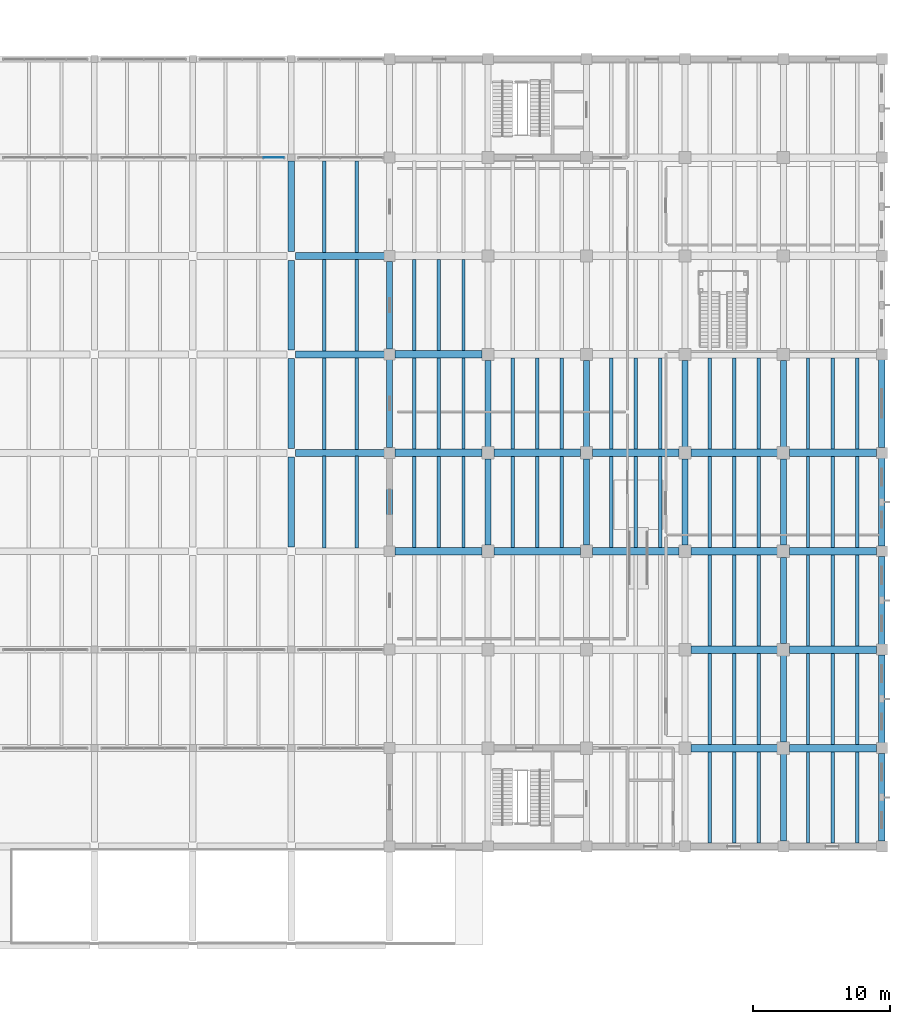
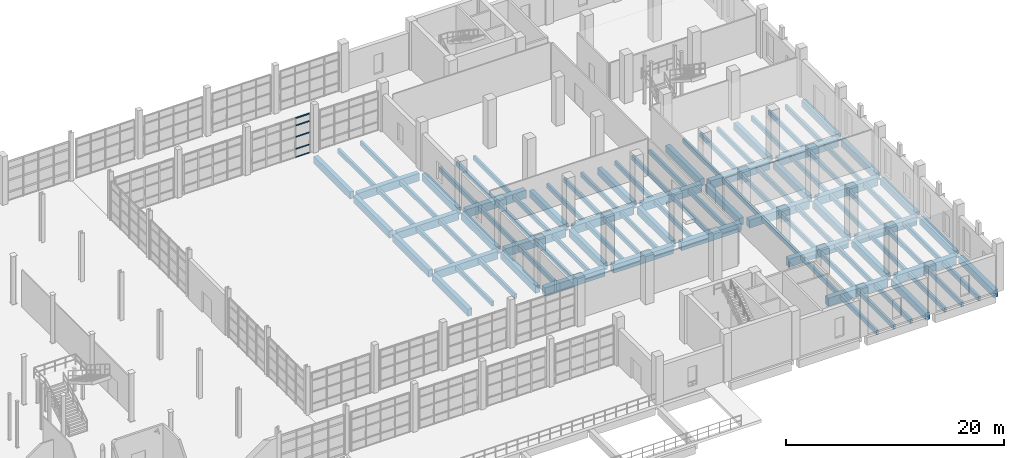
# One storey, part 44 of 79: 100 beams, 5 members, 1 element without a shape of its own.
"""IFC4 building model written with IfcOpenShell, lengths in metres."""

from ifc_helpers import new_model, si_unit, direction, frame, origin, origin_2d, place, context, subcontext, project, spatial, rectangle, extrude, material, material_profile, profile_set, type_object, element, aggregate, save


model = new_model("IFC4")

# Units and contexts
model_context = context("Model", 3, precision=1e-05, world=origin(), true_north=direction((0.0, 1.0)))
body_context = subcontext(model_context, "Body", "Model", "MODEL_VIEW")
ifc_project = project(units=[si_unit("LENGTHUNIT", "METRE"), si_unit("AREAUNIT", "SQUARE_METRE"), si_unit("VOLUMEUNIT", "CUBIC_METRE"), si_unit("PLANEANGLEUNIT", "RADIAN"), si_unit("MASSUNIT", "GRAM", prefix="KILO")], contexts=[model_context])

# Site, building, storey
site_placement = place(None, origin())
site = spatial("IfcSite", under=ifc_project, at=site_placement, CompositionType="ELEMENT")
building_placement = place(site_placement, origin())
building = spatial("IfcBuilding", under=site, at=building_placement, Name="Qiaolan Assembly House", CompositionType="ELEMENT")
storey_placement = place(building_placement, origin())
storey = spatial("IfcBuildingStorey", under=building, at=storey_placement, Name="L00", CompositionType="ELEMENT", Elevation=0.0)

# Beams
ifc_material_1 = material(Name="Concrete C40/50", Category="concrete")
ifc_material_profile_1 = material_profile(ifc_material_1, rectangle(XDim=0.449951171875, YDim=0.800048828125, at=origin_2d()), Name="RCB 450x800")
ifc_profile_set_1 = profile_set([ifc_material_profile_1], Name="Concrete C40/50")
beam_type_1 = type_object("IfcBeamType", Name="BM-RC-450x800", PredefinedType="BEAM", material=ifc_profile_set_1)
beam_1_placement = place(storey_placement, frame((129.60009765625, 50.715087890625, -0.739990234375), z_axis=(0.0, 1.0, 0.0), x_axis=(-1.0, 0.0, 0.0)))
element("IfcBeam", 1, at=beam_1_placement, inside=storey, type_object=beam_type_1, Name="GB-03 beam BMY-CLCRT-L00-03-01", PredefinedType="BEAM", context=body_context, shape_type="SweptSolid", body=[
    extrude(rectangle(XDim=0.449951171875, YDim=0.800048828125, at=origin_2d()), origin(), (0.0, 0.0, 1.0), 6.56982421875),
])
for number, where, z_axis, x_axis, name in (
    (2, (129.60009765625, 57.9150390625, -0.739990234375), (0.0, 1.0, 0.0), (-1.0, 0.0, 0.0), "GB-03 beam BMY-CLCRT-L00-03-02"),
    (3, (129.60009765625, 65.114990234375, -0.739990234375), (0.0, 1.0, 0.0), (-1.0, 0.0, 0.0), "GB-03 beam BMY-CLCRT-L00-03-03"),
):
    element("IfcBeam", number, at=place(storey_placement, frame(where, z_axis=z_axis, x_axis=x_axis)), inside=storey, type_object=beam_type_1, Name=name, PredefinedType="BEAM", context=body_context, shape_type="SweptSolid", body=[
        extrude(rectangle(XDim=0.449951171875, YDim=0.800048828125, at=origin_2d()), origin(), (0.0, 0.0, 1.0), 6.570068359375),
    ])
beam_2_placement = place(storey_placement, frame((129.60009765625, 72.31494140625, -0.739990234375), z_axis=(0.0, 1.0, 0.0), x_axis=(-1.0, 0.0, 0.0)))
element("IfcBeam", 4, at=beam_2_placement, inside=storey, type_object=beam_type_1, Name="GB-03 beam BMY-CLCRT-L00-03-04", PredefinedType="BEAM", context=body_context, shape_type="SweptSolid", body=[
    extrude(rectangle(XDim=0.449951171875, YDim=0.800048828125, at=origin_2d()), origin(), (0.0, 0.0, 1.0), 6.635009765625),
])
for number, where, z_axis, x_axis, name in (
    (5, (136.800048828125, 50.7900390625, -0.739990234375), (0.0, 1.0, 0.0), (-1.0, 0.0, 0.0), "GB-03 beam BMY-CLCRT-L00-04-01"),
    (6, (136.800048828125, 57.989990234375, -0.739990234375), (0.0, 1.0, 0.0), (-1.0, 0.0, 0.0), "GB-03 beam BMY-CLCRT-L00-04-02"),
):
    element("IfcBeam", number, at=place(storey_placement, frame(where, z_axis=z_axis, x_axis=x_axis)), inside=storey, type_object=beam_type_1, Name=name, PredefinedType="BEAM", context=body_context, shape_type="SweptSolid", body=[
        extrude(rectangle(XDim=0.449951171875, YDim=0.800048828125, at=origin_2d()), origin(), (0.0, 0.0, 1.0), 6.419921875),
    ])
beam_3_placement = place(storey_placement, frame((136.800048828125, 65.18994140625, -0.739990234375), z_axis=(0.0, 1.0, 0.0), x_axis=(-1.0, 0.0, 0.0)))
element("IfcBeam", 7, at=beam_3_placement, inside=storey, type_object=beam_type_1, Name="GB-03 beam BMY-CLCRT-L00-04-03", PredefinedType="BEAM", context=body_context, shape_type="SweptSolid", body=[
    extrude(rectangle(XDim=0.449951171875, YDim=0.800048828125, at=origin_2d()), origin(), (0.0, 0.0, 1.0), 6.420166015625),
])
beam_4_placement = place(storey_placement, frame((144.0, 50.840087890625, -0.739990234375), z_axis=(0.0, 1.0, 0.0), x_axis=(-1.0, 0.0, 0.0)))
element("IfcBeam", 8, at=beam_4_placement, inside=storey, type_object=beam_type_1, Name="GB-03 beam BMY-LB-L00-01-03", PredefinedType="BEAM", context=body_context, shape_type="SweptSolid", body=[
    extrude(rectangle(XDim=0.449951171875, YDim=0.800048828125, at=origin_2d()), origin(), (0.0, 0.0, 1.0), 6.31982421875),
])
beam_5_placement = place(storey_placement, frame((144.0, 58.0400390625, -0.739990234375), z_axis=(0.0, 1.0, 0.0), x_axis=(-1.0, 0.0, 0.0)))
element("IfcBeam", 9, at=beam_5_placement, inside=storey, type_object=beam_type_1, Name="GB-03 beam BMY-LB-L00-01-04", PredefinedType="BEAM", context=body_context, shape_type="SweptSolid", body=[
    extrude(rectangle(XDim=0.449951171875, YDim=0.800048828125, at=origin_2d()), origin(), (0.0, 0.0, 1.0), 6.320068359375),
])
beam_6_placement = place(storey_placement, frame((151.199951171875, 50.840087890625, -0.739990234375), z_axis=(0.0, 1.0, 0.0), x_axis=(-1.0, 0.0, 0.0)))
element("IfcBeam", 10, at=beam_6_placement, inside=storey, type_object=beam_type_1, Name="GB-03 beam BMY-LB-L00-02-03", PredefinedType="BEAM", context=body_context, shape_type="SweptSolid", body=[
    extrude(rectangle(XDim=0.449951171875, YDim=0.800048828125, at=origin_2d()), origin(), (0.0, 0.0, 1.0), 6.31982421875),
])
beam_7_placement = place(storey_placement, frame((151.199951171875, 58.0400390625, -0.739990234375), z_axis=(0.0, 1.0, 0.0), x_axis=(-1.0, 0.0, 0.0)))
element("IfcBeam", 11, at=beam_7_placement, inside=storey, type_object=beam_type_1, Name="GB-03 beam BMY-LB-L00-02-04", PredefinedType="BEAM", context=body_context, shape_type="SweptSolid", body=[
    extrude(rectangle(XDim=0.449951171875, YDim=0.800048828125, at=origin_2d()), origin(), (0.0, 0.0, 1.0), 6.320068359375),
])
beam_8_placement = place(storey_placement, frame((158.39990234375, 50.840087890625, -0.739990234375), z_axis=(0.0, 1.0, 0.0), x_axis=(-1.0, 0.0, 0.0)))
element("IfcBeam", 12, at=beam_8_placement, inside=storey, type_object=beam_type_1, Name="GB-03 beam BMY-LB-L00-03-03", PredefinedType="BEAM", context=body_context, shape_type="SweptSolid", body=[
    extrude(rectangle(XDim=0.449951171875, YDim=0.800048828125, at=origin_2d()), origin(), (0.0, 0.0, 1.0), 6.31982421875),
])
beam_9_placement = place(storey_placement, frame((158.39990234375, 58.0400390625, -0.739990234375), z_axis=(0.0, 1.0, 0.0), x_axis=(-1.0, 0.0, 0.0)))
element("IfcBeam", 13, at=beam_9_placement, inside=storey, type_object=beam_type_1, Name="GB-03 beam BMY-LB-L00-03-04", PredefinedType="BEAM", context=body_context, shape_type="SweptSolid", body=[
    extrude(rectangle(XDim=0.449951171875, YDim=0.800048828125, at=origin_2d()), origin(), (0.0, 0.0, 1.0), 6.320068359375),
])
beam_10_placement = place(storey_placement, frame((165.60009765625, 29.18994140625, -0.739990234375), z_axis=(0.0, 1.0, 0.0), x_axis=(-1.0, 0.0, 0.0)))
element("IfcBeam", 14, at=beam_10_placement, inside=storey, type_object=beam_type_1, Name="GB-03 beam BMY-LB-L00-04-00", PredefinedType="BEAM", context=body_context, shape_type="SweptSolid", body=[
    extrude(rectangle(XDim=0.449951171875, YDim=0.800048828125, at=origin_2d()), origin(), (0.0, 0.0, 1.0), 6.3701171875),
])
for number, where, z_axis, x_axis, name in (
    (15, (165.60009765625, 36.43994140625, -0.739990234375), (0.0, 1.0, 0.0), (-1.0, 0.0, 0.0), "GB-03 beam BMY-LB-L00-04-01"),
    (16, (165.60009765625, 43.639892578125, -0.739990234375), (0.0, 1.0, 0.0), (-1.0, 0.0, 0.0), "GB-03 beam BMY-LB-L00-04-02"),
):
    element("IfcBeam", number, at=place(storey_placement, frame(where, z_axis=z_axis, x_axis=x_axis)), inside=storey, type_object=beam_type_1, Name=name, PredefinedType="BEAM", context=body_context, shape_type="SweptSolid", body=[
        extrude(rectangle(XDim=0.449951171875, YDim=0.800048828125, at=origin_2d()), origin(), (0.0, 0.0, 1.0), 6.320068359375),
    ])
beam_11_placement = place(storey_placement, frame((165.60009765625, 50.840087890625, -0.739990234375), z_axis=(0.0, 1.0, 0.0), x_axis=(-1.0, 0.0, 0.0)))
element("IfcBeam", 17, at=beam_11_placement, inside=storey, type_object=beam_type_1, Name="GB-03 beam BMY-LB-L00-04-03", PredefinedType="BEAM", context=body_context, shape_type="SweptSolid", body=[
    extrude(rectangle(XDim=0.449951171875, YDim=0.800048828125, at=origin_2d()), origin(), (0.0, 0.0, 1.0), 6.31982421875),
])
beam_12_placement = place(storey_placement, frame((165.60009765625, 58.0400390625, -0.739990234375), z_axis=(0.0, 1.0, 0.0), x_axis=(-1.0, 0.0, 0.0)))
element("IfcBeam", 18, at=beam_12_placement, inside=storey, type_object=beam_type_1, Name="GB-03 beam BMY-LB-L00-04-04", PredefinedType="BEAM", context=body_context, shape_type="SweptSolid", body=[
    extrude(rectangle(XDim=0.449951171875, YDim=0.800048828125, at=origin_2d()), origin(), (0.0, 0.0, 1.0), 6.320068359375),
])
for number, where, z_axis, x_axis, name in (
    (19, (172.800048828125, 29.18994140625, -0.739990234375), (0.0, 1.0, 0.0), (-1.0, 0.0, 0.0), "GB-03 beam BMY-LB-L00-05-00"),
    (20, (172.800048828125, 36.389892578125, -0.739990234375), (0.0, 1.0, 0.0), (-1.0, 0.0, 0.0), "GB-03 beam BMY-LB-L00-05-01"),
):
    element("IfcBeam", number, at=place(storey_placement, frame(where, z_axis=z_axis, x_axis=x_axis)), inside=storey, type_object=beam_type_1, Name=name, PredefinedType="BEAM", context=body_context, shape_type="SweptSolid", body=[
        extrude(rectangle(XDim=0.449951171875, YDim=0.800048828125, at=origin_2d()), origin(), (0.0, 0.0, 1.0), 6.420166015625),
    ])
for number, where, z_axis, x_axis, name in (
    (21, (172.800048828125, 43.590087890625, -0.739990234375), (0.0, 1.0, 0.0), (-1.0, 0.0, 0.0), "GB-03 beam BMY-LB-L00-05-02"),
    (22, (172.800048828125, 50.7900390625, -0.739990234375), (0.0, 1.0, 0.0), (-1.0, 0.0, 0.0), "GB-03 beam BMY-LB-L00-05-03"),
    (23, (172.800048828125, 57.989990234375, -0.739990234375), (0.0, 1.0, 0.0), (-1.0, 0.0, 0.0), "GB-03 beam BMY-LB-L00-05-04"),
):
    element("IfcBeam", number, at=place(storey_placement, frame(where, z_axis=z_axis, x_axis=x_axis)), inside=storey, type_object=beam_type_1, Name=name, PredefinedType="BEAM", context=body_context, shape_type="SweptSolid", body=[
        extrude(rectangle(XDim=0.449951171875, YDim=0.800048828125, at=origin_2d()), origin(), (0.0, 0.0, 1.0), 6.419921875),
    ])
ifc_material_2 = material(Name="Concrete C45/55", Category="concrete")
ifc_material_profile_2 = material_profile(ifc_material_2, rectangle(XDim=0.5, YDim=0.85009765625, at=origin_2d()), Name="RCB 500x850")
ifc_profile_set_2 = profile_set([ifc_material_profile_2], Name="Concrete C45/55")
beam_type_2 = type_object("IfcBeamType", Name="BM-RC-500x850", PredefinedType="BEAM", material=ifc_profile_set_2)
for number, where, z_axis, x_axis, name in (
    (24, (129.9150390625, 57.60009765625, -0.764892578125), (1.0, 0.0, 0.0), (0.0, 1.0, 0.0), "GB-02 beam BMX-CLCRT-L00-03-02"),
    (25, (129.9150390625, 64.800048828125, -0.764892578125), (1.0, 0.0, 0.0), (0.0, 1.0, 0.0), "GB-02 beam BMX-CLCRT-L00-03-03"),
    (26, (129.9150390625, 72.0, -0.764892578125), (1.0, 0.0, 0.0), (0.0, 1.0, 0.0), "GB-02 beam BMX-CLCRT-L00-03-04"),
):
    element("IfcBeam", number, at=place(storey_placement, frame(where, z_axis=z_axis, x_axis=x_axis)), inside=storey, type_object=beam_type_2, Name=name, PredefinedType="BEAM", context=body_context, shape_type="SweptSolid", body=[
        extrude(rectangle(XDim=0.5, YDim=0.85009765625, at=origin_2d()), origin(), (0.0, 0.0, 1.0), 6.494873046875),
    ])
ifc_material_profile_3 = material_profile(ifc_material_2, rectangle(XDim=0.550048828125, YDim=0.89990234375, at=origin_2d()), Name="RCB 550x900")
ifc_profile_set_3 = profile_set([ifc_material_profile_3], Name="Concrete C45/55")
beam_type_3 = type_object("IfcBeamType", Name="BM-RC-550x900", PredefinedType="BEAM", material=ifc_profile_set_3)
beam_13_placement = place(storey_placement, frame((158.840087890625, 36.0, -0.7900390625), z_axis=(1.0, 0.0, 0.0), x_axis=(0.0, 1.0, 0.0)))
element("IfcBeam", 27, at=beam_13_placement, inside=storey, type_object=beam_type_3, Name="GB-01 beam BMX-LB-L00-03-01", PredefinedType="BEAM", context=body_context, shape_type="SweptSolid", body=[
    extrude(rectangle(XDim=0.550048828125, YDim=0.89990234375, at=origin_2d()), origin(), (0.0, 0.0, 1.0), 6.31982421875),
])
beam_14_placement = place(storey_placement, frame((166.0400390625, 36.0, -0.7900390625), z_axis=(1.0, 0.0, 0.0), x_axis=(0.0, 1.0, 0.0)))
element("IfcBeam", 28, at=beam_14_placement, inside=storey, type_object=beam_type_3, Name="GB-01 beam BMX-LB-L00-04-01", PredefinedType="BEAM", context=body_context, shape_type="SweptSolid", body=[
    extrude(rectangle(XDim=0.550048828125, YDim=0.89990234375, at=origin_2d()), origin(), (0.0, 0.0, 1.0), 6.369873046875),
])
beam_15_placement = place(storey_placement, frame((158.840087890625, 43.199951171875, -0.7900390625), z_axis=(1.0, 0.0, 0.0), x_axis=(0.0, 1.0, 0.0)))
element("IfcBeam", 29, at=beam_15_placement, inside=storey, type_object=beam_type_3, Name="GB-01 beam BMX-LB-L00-03-02", PredefinedType="BEAM", context=body_context, shape_type="SweptSolid", body=[
    extrude(rectangle(XDim=0.550048828125, YDim=0.89990234375, at=origin_2d()), origin(), (0.0, 0.0, 1.0), 6.31982421875),
])
beam_16_placement = place(storey_placement, frame((166.0400390625, 43.199951171875, -0.7900390625), z_axis=(1.0, 0.0, 0.0), x_axis=(0.0, 1.0, 0.0)))
element("IfcBeam", 30, at=beam_16_placement, inside=storey, type_object=beam_type_3, Name="GB-01 beam BMX-LB-L00-04-02", PredefinedType="BEAM", context=body_context, shape_type="SweptSolid", body=[
    extrude(rectangle(XDim=0.550048828125, YDim=0.89990234375, at=origin_2d()), origin(), (0.0, 0.0, 1.0), 6.369873046875),
])
beam_17_placement = place(storey_placement, frame((137.18994140625, 50.39990234375, -0.7900390625), z_axis=(1.0, 0.0, 0.0), x_axis=(0.0, 1.0, 0.0)))
element("IfcBeam", 31, at=beam_17_placement, inside=storey, type_object=beam_type_3, Name="GB-01 beam BMX-LB-L00-00-03", PredefinedType="BEAM", context=body_context, shape_type="SweptSolid", body=[
    extrude(rectangle(XDim=0.550048828125, YDim=0.89990234375, at=origin_2d()), origin(), (0.0, 0.0, 1.0), 6.3701171875),
])
for number, where, z_axis, x_axis, name in (
    (32, (144.43994140625, 50.39990234375, -0.7900390625), (1.0, 0.0, 0.0), (0.0, 1.0, 0.0), "GB-01 beam BMX-LB-L00-01-03"),
    (33, (151.639892578125, 50.39990234375, -0.7900390625), (1.0, 0.0, 0.0), (0.0, 1.0, 0.0), "GB-01 beam BMX-LB-L00-02-03"),
):
    element("IfcBeam", number, at=place(storey_placement, frame(where, z_axis=z_axis, x_axis=x_axis)), inside=storey, type_object=beam_type_3, Name=name, PredefinedType="BEAM", context=body_context, shape_type="SweptSolid", body=[
        extrude(rectangle(XDim=0.550048828125, YDim=0.89990234375, at=origin_2d()), origin(), (0.0, 0.0, 1.0), 6.320068359375),
    ])
beam_18_placement = place(storey_placement, frame((158.840087890625, 50.39990234375, -0.7900390625), z_axis=(1.0, 0.0, 0.0), x_axis=(0.0, 1.0, 0.0)))
element("IfcBeam", 34, at=beam_18_placement, inside=storey, type_object=beam_type_3, Name="GB-01 beam BMX-LB-L00-03-03", PredefinedType="BEAM", context=body_context, shape_type="SweptSolid", body=[
    extrude(rectangle(XDim=0.550048828125, YDim=0.89990234375, at=origin_2d()), origin(), (0.0, 0.0, 1.0), 6.31982421875),
])
beam_19_placement = place(storey_placement, frame((166.0400390625, 50.39990234375, -0.7900390625), z_axis=(1.0, 0.0, 0.0), x_axis=(0.0, 1.0, 0.0)))
element("IfcBeam", 35, at=beam_19_placement, inside=storey, type_object=beam_type_3, Name="GB-01 beam BMX-LB-L00-04-03", PredefinedType="BEAM", context=body_context, shape_type="SweptSolid", body=[
    extrude(rectangle(XDim=0.550048828125, YDim=0.89990234375, at=origin_2d()), origin(), (0.0, 0.0, 1.0), 6.369873046875),
])
beam_20_placement = place(storey_placement, frame((137.18994140625, 57.60009765625, -0.7900390625), z_axis=(1.0, 0.0, 0.0), x_axis=(0.0, 1.0, 0.0)))
element("IfcBeam", 36, at=beam_20_placement, inside=storey, type_object=beam_type_3, Name="GB-01 beam BMX-LB-L00-00-04", PredefinedType="BEAM", context=body_context, shape_type="SweptSolid", body=[
    extrude(rectangle(XDim=0.550048828125, YDim=0.89990234375, at=origin_2d()), origin(), (0.0, 0.0, 1.0), 6.3701171875),
])
for number, where, z_axis, x_axis, name in (
    (37, (144.43994140625, 57.60009765625, -0.7900390625), (1.0, 0.0, 0.0), (0.0, 1.0, 0.0), "GB-01 beam BMX-LB-L00-01-04"),
    (38, (151.639892578125, 57.60009765625, -0.7900390625), (1.0, 0.0, 0.0), (0.0, 1.0, 0.0), "GB-01 beam BMX-LB-L00-02-04"),
):
    element("IfcBeam", number, at=place(storey_placement, frame(where, z_axis=z_axis, x_axis=x_axis)), inside=storey, type_object=beam_type_3, Name=name, PredefinedType="BEAM", context=body_context, shape_type="SweptSolid", body=[
        extrude(rectangle(XDim=0.550048828125, YDim=0.89990234375, at=origin_2d()), origin(), (0.0, 0.0, 1.0), 6.320068359375),
    ])
beam_21_placement = place(storey_placement, frame((158.840087890625, 57.60009765625, -0.7900390625), z_axis=(1.0, 0.0, 0.0), x_axis=(0.0, 1.0, 0.0)))
element("IfcBeam", 39, at=beam_21_placement, inside=storey, type_object=beam_type_3, Name="GB-01 beam BMX-LB-L00-03-04", PredefinedType="BEAM", context=body_context, shape_type="SweptSolid", body=[
    extrude(rectangle(XDim=0.550048828125, YDim=0.89990234375, at=origin_2d()), origin(), (0.0, 0.0, 1.0), 6.31982421875),
])
beam_22_placement = place(storey_placement, frame((166.0400390625, 57.60009765625, -0.7900390625), z_axis=(1.0, 0.0, 0.0), x_axis=(0.0, 1.0, 0.0)))
element("IfcBeam", 40, at=beam_22_placement, inside=storey, type_object=beam_type_3, Name="GB-01 beam BMX-LB-L00-04-04", PredefinedType="BEAM", context=body_context, shape_type="SweptSolid", body=[
    extrude(rectangle(XDim=0.550048828125, YDim=0.89990234375, at=origin_2d()), origin(), (0.0, 0.0, 1.0), 6.369873046875),
])
beam_23_placement = place(storey_placement, frame((137.18994140625, 64.800048828125, -0.7900390625), z_axis=(1.0, 0.0, 0.0), x_axis=(0.0, 1.0, 0.0)))
element("IfcBeam", 41, at=beam_23_placement, inside=storey, type_object=beam_type_3, Name="GB-01 beam BMX-LB-L00-00-05", PredefinedType="BEAM", context=body_context, shape_type="SweptSolid", body=[
    extrude(rectangle(XDim=0.550048828125, YDim=0.89990234375, at=origin_2d()), origin(), (0.0, 0.0, 1.0), 6.3701171875),
])

# Curtain wall, members
ifc_material_3 = material(Name="Anodised bronze aluminium", Category="aluminium")
curtain_wall_type = type_object("IfcCurtainWallType", Name="CW-CLOISTER-420", PredefinedType="NOTDEFINED", material=ifc_material_3)
curtain_wall_placement = place(storey_placement, origin())
curtain_wall = element("IfcCurtainWall", 42, at=curtain_wall_placement, inside=storey, type_object=curtain_wall_type, Name="CW-05 North Cloister court arcade L00-3", PredefinedType="NOTDEFINED")
ifc_material_profile_4 = material_profile(ifc_material_3, rectangle(XDim=0.06201171875, YDim=0.125, at=origin_2d()), Name="TRN 62x125")
ifc_profile_set_4 = profile_set([ifc_material_profile_4], Name="Anodised bronze aluminium")
member_type = type_object("IfcMemberType", Name="CW-CLOISTER-420-TRN", PredefinedType="USERDEFINED", material=ifc_profile_set_4)
member_1_placement = place(storey_placement, frame((127.574951171875, 79.199951171875, 0.030029296875), z_axis=(1.0, 0.0, 0.0), x_axis=(0.0, 1.0, 0.0)))
member_1 = element("IfcMember", 43, at=member_1_placement, type_object=member_type, Name="TR-06 transom CW-CLN-CRT-L00-2-4-1", ObjectType="TRANSOM", PredefinedType="USERDEFINED", context=body_context, shape_type="SweptSolid", body=[
    extrude(rectangle(XDim=0.06201171875, YDim=0.125, at=origin_2d()), origin(), (0.0, 0.0, 1.0), 1.469970703125),
])
member_2_placement = place(storey_placement, frame((127.574951171875, 79.199951171875, 0.949951171875), z_axis=(1.0, 0.0, 0.0), x_axis=(0.0, 1.0, 0.0)))
member_2 = element("IfcMember", 44, at=member_2_placement, type_object=member_type, Name="TR-06 transom CW-CLN-CRT-L00-2-4-2", ObjectType="TRANSOM", PredefinedType="USERDEFINED", context=body_context, shape_type="SweptSolid", body=[
    extrude(rectangle(XDim=0.06201171875, YDim=0.125, at=origin_2d()), origin(), (0.0, 0.0, 1.0), 1.469970703125),
])
member_3_placement = place(storey_placement, frame((127.574951171875, 79.199951171875, 2.29833984375), z_axis=(1.0, 0.0, 0.0), x_axis=(0.0, 1.0, 0.0)))
member_3 = element("IfcMember", 45, at=member_3_placement, type_object=member_type, Name="TR-06 transom CW-CLN-CRT-L00-2-4-3", ObjectType="TRANSOM", PredefinedType="USERDEFINED", context=body_context, shape_type="SweptSolid", body=[
    extrude(rectangle(XDim=0.06201171875, YDim=0.125, at=origin_2d()), origin(), (0.0, 0.0, 1.0), 1.469970703125),
])
member_4_placement = place(storey_placement, frame((127.574951171875, 79.199951171875, 3.570068359375), z_axis=(1.0, 0.0, 0.0), x_axis=(0.0, 1.0, 0.0)))
member_4 = element("IfcMember", 46, at=member_4_placement, type_object=member_type, Name="TR-06 transom CW-CLN-CRT-L00-2-4-4", ObjectType="TRANSOM", PredefinedType="USERDEFINED", context=body_context, shape_type="SweptSolid", body=[
    extrude(rectangle(XDim=0.06201171875, YDim=0.125, at=origin_2d()), origin(), (0.0, 0.0, 1.0), 1.469970703125),
])
member_5_placement = place(storey_placement, frame((127.574951171875, 79.199951171875, 4.389892578125), z_axis=(1.0, 0.0, 0.0), x_axis=(0.0, 1.0, 0.0)))
member_5 = element("IfcMember", 47, at=member_5_placement, type_object=member_type, Name="TR-06 transom CW-CLN-CRT-L00-2-4-5", ObjectType="TRANSOM", PredefinedType="USERDEFINED", context=body_context, shape_type="SweptSolid", body=[
    extrude(rectangle(XDim=0.06201171875, YDim=0.125, at=origin_2d()), origin(), (0.0, 0.0, 1.0), 1.469970703125),
])
aggregate(curtain_wall, [member_1, member_2, member_3, member_4, member_5])

# Beams
ifc_material_profile_5 = material_profile(ifc_material_1, rectangle(XDim=0.25, YDim=0.5, at=origin_2d()), Name="RCB 250x500")
ifc_profile_set_5 = profile_set([ifc_material_profile_5], Name="Concrete C40/50")
beam_type_4 = type_object("IfcBeamType", Name="JST-RC-250x500", PredefinedType="JOIST", material=ifc_profile_set_5)
for number, where, z_axis, x_axis, name in (
    (48, (132.0, 50.64404296875, -0.590087890625), (0.0, 1.0, 0.0), (-1.0, 0.0, 0.0), "RJ-01 beam JST-CLCRT-L00-03-01-1"),
    (49, (134.39990234375, 50.64404296875, -0.590087890625), (0.0, 1.0, 0.0), (-1.0, 0.0, 0.0), "RJ-01 beam JST-CLCRT-L00-03-01-2"),
    (50, (132.0, 57.843994140625, -0.590087890625), (0.0, 1.0, 0.0), (-1.0, 0.0, 0.0), "RJ-01 beam JST-CLCRT-L00-03-02-1"),
    (51, (134.39990234375, 57.843994140625, -0.590087890625), (0.0, 1.0, 0.0), (-1.0, 0.0, 0.0), "RJ-01 beam JST-CLCRT-L00-03-02-2"),
):
    element("IfcBeam", number, at=place(storey_placement, frame(where, z_axis=z_axis, x_axis=x_axis)), inside=storey, type_object=beam_type_4, Name=name, PredefinedType="JOIST", context=body_context, shape_type="SweptSolid", body=[
        extrude(rectangle(XDim=0.25, YDim=0.5, at=origin_2d()), origin(), (0.0, 0.0, 1.0), 6.7119140625),
    ])
for number, where, z_axis, x_axis, name in (
    (52, (132.0, 65.0439453125, -0.590087890625), (0.0, 1.0, 0.0), (-1.0, 0.0, 0.0), "RJ-01 beam JST-CLCRT-L00-03-03-1"),
    (53, (134.39990234375, 65.0439453125, -0.590087890625), (0.0, 1.0, 0.0), (-1.0, 0.0, 0.0), "RJ-01 beam JST-CLCRT-L00-03-03-2"),
    (54, (132.0, 72.243896484375, -0.590087890625), (0.0, 1.0, 0.0), (-1.0, 0.0, 0.0), "RJ-01 beam JST-CLCRT-L00-03-04-1"),
    (55, (134.39990234375, 72.243896484375, -0.590087890625), (0.0, 1.0, 0.0), (-1.0, 0.0, 0.0), "RJ-01 beam JST-CLCRT-L00-03-04-2"),
):
    element("IfcBeam", number, at=place(storey_placement, frame(where, z_axis=z_axis, x_axis=x_axis)), inside=storey, type_object=beam_type_4, Name=name, PredefinedType="JOIST", context=body_context, shape_type="SweptSolid", body=[
        extrude(rectangle(XDim=0.25, YDim=0.5, at=origin_2d()), origin(), (0.0, 0.0, 1.0), 6.712158203125),
    ])
for number, where, z_axis, x_axis, name in (
    (56, (138.60009765625, 50.6689453125, -0.590087890625), (0.0, 1.0, 0.0), (-1.0, 0.0, 0.0), "RJ-01 beam JST-LB-L00-00-03-1"),
    (57, (140.39990234375, 50.6689453125, -0.590087890625), (0.0, 1.0, 0.0), (-1.0, 0.0, 0.0), "RJ-01 beam JST-LB-L00-00-03-2"),
    (58, (142.199951171875, 50.6689453125, -0.590087890625), (0.0, 1.0, 0.0), (-1.0, 0.0, 0.0), "RJ-01 beam JST-LB-L00-00-03-3"),
    (59, (138.60009765625, 57.868896484375, -0.590087890625), (0.0, 1.0, 0.0), (-1.0, 0.0, 0.0), "RJ-01 beam JST-LB-L00-00-04-1"),
    (60, (140.39990234375, 57.868896484375, -0.590087890625), (0.0, 1.0, 0.0), (-1.0, 0.0, 0.0), "RJ-01 beam JST-LB-L00-00-04-2"),
    (61, (142.199951171875, 57.868896484375, -0.590087890625), (0.0, 1.0, 0.0), (-1.0, 0.0, 0.0), "RJ-01 beam JST-LB-L00-00-04-3"),
):
    element("IfcBeam", number, at=place(storey_placement, frame(where, z_axis=z_axis, x_axis=x_axis)), inside=storey, type_object=beam_type_4, Name=name, PredefinedType="JOIST", context=body_context, shape_type="SweptSolid", body=[
        extrude(rectangle(XDim=0.25, YDim=0.5, at=origin_2d()), origin(), (0.0, 0.0, 1.0), 6.662109375),
    ])
for number, where, z_axis, x_axis, name in (
    (62, (138.60009765625, 65.069091796875, -0.590087890625), (0.0, 1.0, 0.0), (-1.0, 0.0, 0.0), "RJ-01 beam JST-LB-L00-00-05-1"),
    (63, (140.39990234375, 65.069091796875, -0.590087890625), (0.0, 1.0, 0.0), (-1.0, 0.0, 0.0), "RJ-01 beam JST-LB-L00-00-05-2"),
    (64, (142.199951171875, 65.069091796875, -0.590087890625), (0.0, 1.0, 0.0), (-1.0, 0.0, 0.0), "RJ-01 beam JST-LB-L00-00-05-3"),
):
    element("IfcBeam", number, at=place(storey_placement, frame(where, z_axis=z_axis, x_axis=x_axis)), inside=storey, type_object=beam_type_4, Name=name, PredefinedType="JOIST", context=body_context, shape_type="SweptSolid", body=[
        extrude(rectangle(XDim=0.25, YDim=0.5, at=origin_2d()), origin(), (0.0, 0.0, 1.0), 6.661865234375),
    ])
for number, where, z_axis, x_axis, name in (
    (65, (145.800048828125, 50.6689453125, -0.590087890625), (0.0, 1.0, 0.0), (-1.0, 0.0, 0.0), "RJ-01 beam JST-LB-L00-01-03-1"),
    (66, (147.60009765625, 50.6689453125, -0.590087890625), (0.0, 1.0, 0.0), (-1.0, 0.0, 0.0), "RJ-01 beam JST-LB-L00-01-03-2"),
    (67, (149.39990234375, 50.6689453125, -0.590087890625), (0.0, 1.0, 0.0), (-1.0, 0.0, 0.0), "RJ-01 beam JST-LB-L00-01-03-3"),
    (68, (145.800048828125, 57.868896484375, -0.590087890625), (0.0, 1.0, 0.0), (-1.0, 0.0, 0.0), "RJ-01 beam JST-LB-L00-01-04-1"),
    (69, (147.60009765625, 57.868896484375, -0.590087890625), (0.0, 1.0, 0.0), (-1.0, 0.0, 0.0), "RJ-01 beam JST-LB-L00-01-04-2"),
    (70, (149.39990234375, 57.868896484375, -0.590087890625), (0.0, 1.0, 0.0), (-1.0, 0.0, 0.0), "RJ-01 beam JST-LB-L00-01-04-3"),
    (71, (153.0, 50.6689453125, -0.590087890625), (0.0, 1.0, 0.0), (-1.0, 0.0, 0.0), "RJ-01 beam JST-LB-L00-02-03-1"),
    (72, (154.800048828125, 50.6689453125, -0.590087890625), (0.0, 1.0, 0.0), (-1.0, 0.0, 0.0), "RJ-01 beam JST-LB-L00-02-03-2"),
    (73, (156.60009765625, 50.6689453125, -0.590087890625), (0.0, 1.0, 0.0), (-1.0, 0.0, 0.0), "RJ-01 beam JST-LB-L00-02-03-3"),
    (74, (153.0, 57.868896484375, -0.590087890625), (0.0, 1.0, 0.0), (-1.0, 0.0, 0.0), "RJ-01 beam JST-LB-L00-02-04-1"),
    (75, (154.800048828125, 57.868896484375, -0.590087890625), (0.0, 1.0, 0.0), (-1.0, 0.0, 0.0), "RJ-01 beam JST-LB-L00-02-04-2"),
    (76, (156.60009765625, 57.868896484375, -0.590087890625), (0.0, 1.0, 0.0), (-1.0, 0.0, 0.0), "RJ-01 beam JST-LB-L00-02-04-3"),
):
    element("IfcBeam", number, at=place(storey_placement, frame(where, z_axis=z_axis, x_axis=x_axis)), inside=storey, type_object=beam_type_4, Name=name, PredefinedType="JOIST", context=body_context, shape_type="SweptSolid", body=[
        extrude(rectangle(XDim=0.25, YDim=0.5, at=origin_2d()), origin(), (0.0, 0.0, 1.0), 6.662109375),
    ])
for number, where, z_axis, x_axis, name in (
    (77, (160.199951171875, 29.069091796875, -0.590087890625), (0.0, 1.0, 0.0), (-1.0, 0.0, 0.0), "RJ-01 beam JST-LB-L00-03-00-1"),
    (78, (162.0, 29.069091796875, -0.590087890625), (0.0, 1.0, 0.0), (-1.0, 0.0, 0.0), "RJ-01 beam JST-LB-L00-03-00-2"),
    (79, (163.800048828125, 29.069091796875, -0.590087890625), (0.0, 1.0, 0.0), (-1.0, 0.0, 0.0), "RJ-01 beam JST-LB-L00-03-00-3"),
    (80, (160.199951171875, 36.26904296875, -0.590087890625), (0.0, 1.0, 0.0), (-1.0, 0.0, 0.0), "RJ-01 beam JST-LB-L00-03-01-1"),
    (81, (162.0, 36.26904296875, -0.590087890625), (0.0, 1.0, 0.0), (-1.0, 0.0, 0.0), "RJ-01 beam JST-LB-L00-03-01-2"),
    (82, (163.800048828125, 36.26904296875, -0.590087890625), (0.0, 1.0, 0.0), (-1.0, 0.0, 0.0), "RJ-01 beam JST-LB-L00-03-01-3"),
):
    element("IfcBeam", number, at=place(storey_placement, frame(where, z_axis=z_axis, x_axis=x_axis)), inside=storey, type_object=beam_type_4, Name=name, PredefinedType="JOIST", context=body_context, shape_type="SweptSolid", body=[
        extrude(rectangle(XDim=0.25, YDim=0.5, at=origin_2d()), origin(), (0.0, 0.0, 1.0), 6.661865234375),
    ])
for number, where, z_axis, x_axis, name in (
    (83, (160.199951171875, 43.468994140625, -0.590087890625), (0.0, 1.0, 0.0), (-1.0, 0.0, 0.0), "RJ-01 beam JST-LB-L00-03-02-1"),
    (84, (162.0, 43.468994140625, -0.590087890625), (0.0, 1.0, 0.0), (-1.0, 0.0, 0.0), "RJ-01 beam JST-LB-L00-03-02-2"),
    (85, (163.800048828125, 43.468994140625, -0.590087890625), (0.0, 1.0, 0.0), (-1.0, 0.0, 0.0), "RJ-01 beam JST-LB-L00-03-02-3"),
    (86, (160.199951171875, 50.6689453125, -0.590087890625), (0.0, 1.0, 0.0), (-1.0, 0.0, 0.0), "RJ-01 beam JST-LB-L00-03-03-1"),
    (87, (162.0, 50.6689453125, -0.590087890625), (0.0, 1.0, 0.0), (-1.0, 0.0, 0.0), "RJ-01 beam JST-LB-L00-03-03-2"),
    (88, (163.800048828125, 50.6689453125, -0.590087890625), (0.0, 1.0, 0.0), (-1.0, 0.0, 0.0), "RJ-01 beam JST-LB-L00-03-03-3"),
    (89, (160.199951171875, 57.868896484375, -0.590087890625), (0.0, 1.0, 0.0), (-1.0, 0.0, 0.0), "RJ-01 beam JST-LB-L00-03-04-1"),
    (90, (162.0, 57.868896484375, -0.590087890625), (0.0, 1.0, 0.0), (-1.0, 0.0, 0.0), "RJ-01 beam JST-LB-L00-03-04-2"),
    (91, (163.800048828125, 57.868896484375, -0.590087890625), (0.0, 1.0, 0.0), (-1.0, 0.0, 0.0), "RJ-01 beam JST-LB-L00-03-04-3"),
):
    element("IfcBeam", number, at=place(storey_placement, frame(where, z_axis=z_axis, x_axis=x_axis)), inside=storey, type_object=beam_type_4, Name=name, PredefinedType="JOIST", context=body_context, shape_type="SweptSolid", body=[
        extrude(rectangle(XDim=0.25, YDim=0.5, at=origin_2d()), origin(), (0.0, 0.0, 1.0), 6.662109375),
    ])
for number, where, z_axis, x_axis, name in (
    (92, (167.39990234375, 29.069091796875, -0.590087890625), (0.0, 1.0, 0.0), (-1.0, 0.0, 0.0), "RJ-01 beam JST-LB-L00-04-00-1"),
    (93, (169.199951171875, 29.069091796875, -0.590087890625), (0.0, 1.0, 0.0), (-1.0, 0.0, 0.0), "RJ-01 beam JST-LB-L00-04-00-2"),
    (94, (171.0, 29.069091796875, -0.590087890625), (0.0, 1.0, 0.0), (-1.0, 0.0, 0.0), "RJ-01 beam JST-LB-L00-04-00-3"),
    (95, (167.39990234375, 36.26904296875, -0.590087890625), (0.0, 1.0, 0.0), (-1.0, 0.0, 0.0), "RJ-01 beam JST-LB-L00-04-01-1"),
    (96, (169.199951171875, 36.26904296875, -0.590087890625), (0.0, 1.0, 0.0), (-1.0, 0.0, 0.0), "RJ-01 beam JST-LB-L00-04-01-2"),
    (97, (171.0, 36.26904296875, -0.590087890625), (0.0, 1.0, 0.0), (-1.0, 0.0, 0.0), "RJ-01 beam JST-LB-L00-04-01-3"),
):
    element("IfcBeam", number, at=place(storey_placement, frame(where, z_axis=z_axis, x_axis=x_axis)), inside=storey, type_object=beam_type_4, Name=name, PredefinedType="JOIST", context=body_context, shape_type="SweptSolid", body=[
        extrude(rectangle(XDim=0.25, YDim=0.5, at=origin_2d()), origin(), (0.0, 0.0, 1.0), 6.661865234375),
    ])
for number, where, z_axis, x_axis, name in (
    (98, (167.39990234375, 43.468994140625, -0.590087890625), (0.0, 1.0, 0.0), (-1.0, 0.0, 0.0), "RJ-01 beam JST-LB-L00-04-02-1"),
    (99, (169.199951171875, 43.468994140625, -0.590087890625), (0.0, 1.0, 0.0), (-1.0, 0.0, 0.0), "RJ-01 beam JST-LB-L00-04-02-2"),
    (100, (171.0, 43.468994140625, -0.590087890625), (0.0, 1.0, 0.0), (-1.0, 0.0, 0.0), "RJ-01 beam JST-LB-L00-04-02-3"),
    (101, (167.39990234375, 50.6689453125, -0.590087890625), (0.0, 1.0, 0.0), (-1.0, 0.0, 0.0), "RJ-01 beam JST-LB-L00-04-03-1"),
    (102, (169.199951171875, 50.6689453125, -0.590087890625), (0.0, 1.0, 0.0), (-1.0, 0.0, 0.0), "RJ-01 beam JST-LB-L00-04-03-2"),
    (103, (171.0, 50.6689453125, -0.590087890625), (0.0, 1.0, 0.0), (-1.0, 0.0, 0.0), "RJ-01 beam JST-LB-L00-04-03-3"),
    (104, (167.39990234375, 57.868896484375, -0.590087890625), (0.0, 1.0, 0.0), (-1.0, 0.0, 0.0), "RJ-01 beam JST-LB-L00-04-04-1"),
    (105, (169.199951171875, 57.868896484375, -0.590087890625), (0.0, 1.0, 0.0), (-1.0, 0.0, 0.0), "RJ-01 beam JST-LB-L00-04-04-2"),
    (106, (171.0, 57.868896484375, -0.590087890625), (0.0, 1.0, 0.0), (-1.0, 0.0, 0.0), "RJ-01 beam JST-LB-L00-04-04-3"),
):
    element("IfcBeam", number, at=place(storey_placement, frame(where, z_axis=z_axis, x_axis=x_axis)), inside=storey, type_object=beam_type_4, Name=name, PredefinedType="JOIST", context=body_context, shape_type="SweptSolid", body=[
        extrude(rectangle(XDim=0.25, YDim=0.5, at=origin_2d()), origin(), (0.0, 0.0, 1.0), 6.662109375),
    ])

save(model, "model.ifc")
